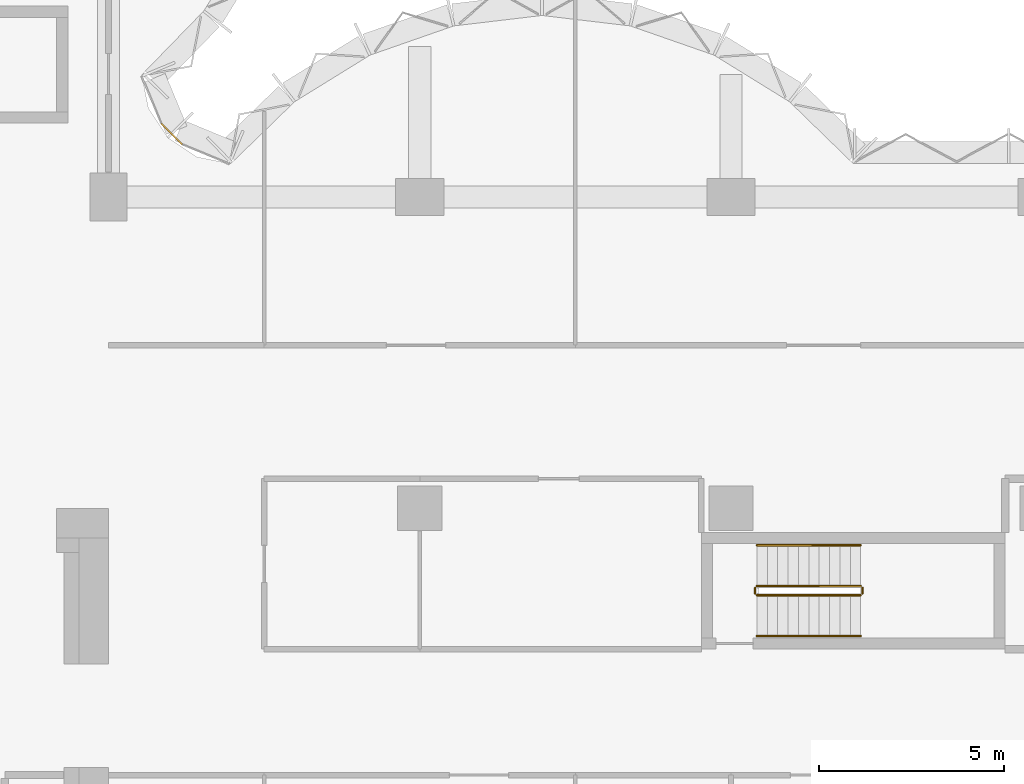
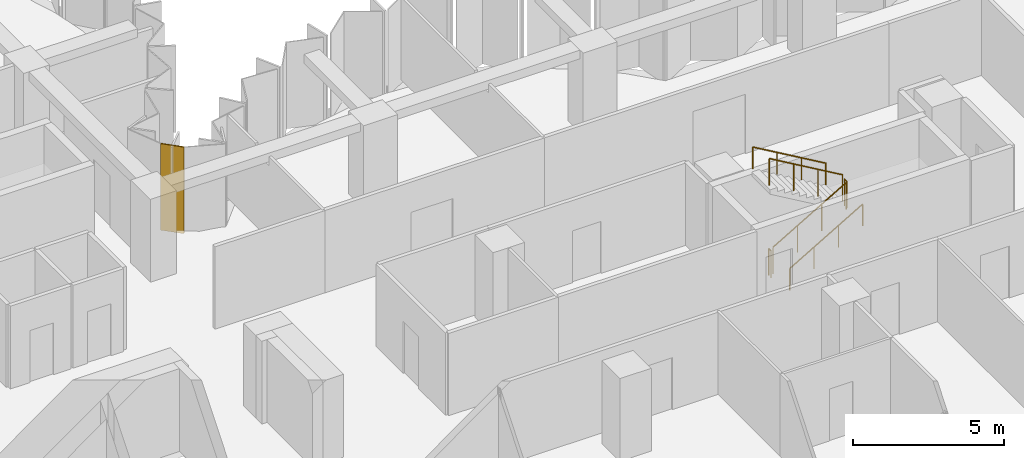
# One storey, part 13 of 13: 6 railings, 1 covering, 1 element without a shape of its own.
"""IFC4 building model written with IfcOpenShell, lengths in metres."""

from ifc_helpers import new_model, si_unit, direction, frame, origin, origin_2d, place, context, subcontext, project, spatial, polyline, circle, outline, extrude, material, layer, layer_set, type_object, element, aggregate, save


model = new_model("IFC4")

# Units and contexts
model_context = context("Model", 3, precision=1e-05, world=origin(), true_north=direction((0.0, 1.0)))
body_context = subcontext(model_context, "Body", "Model", "MODEL_VIEW")
ifc_project = project(units=[si_unit("LENGTHUNIT", "METRE"), si_unit("AREAUNIT", "SQUARE_METRE"), si_unit("VOLUMEUNIT", "CUBIC_METRE"), si_unit("PLANEANGLEUNIT", "RADIAN"), si_unit("MASSUNIT", "GRAM", prefix="KILO")], contexts=[model_context])

# Site, building, storey
site_placement = place(None, origin())
site = spatial("IfcSite", under=ifc_project, at=site_placement, CompositionType="ELEMENT")
building_placement = place(site_placement, origin())
building = spatial("IfcBuilding", under=site, at=building_placement, Name="Brevane Broadcast Tower", CompositionType="ELEMENT")
storey_placement = place(building_placement, frame((0.0, 0.0, 106.10009765625)))
storey = spatial("IfcBuildingStorey", under=building, at=storey_placement, Name="L25", CompositionType="ELEMENT", Elevation=106.10009765625)

# Railings
ifc_material_1 = material(Name="Steel S355", Category="steel")
railing_type_1 = type_object("IfcRailingType", Name="Exit stair guard", PredefinedType="GUARDRAIL", material=ifc_material_1)
railing_1_placement = place(storey_placement, frame((42.699951171875, 14.449951171875, 0.16357421875)))
element("IfcRailing", 1, at=railing_1_placement, inside=storey, type_object=railing_type_1, Name="L25 ST-4 stair guard 1", PredefinedType="GUARDRAIL", context=body_context, shape_type="SweptSolid", body=[
    extrude(circle(Radius=0.02392578125, at=origin_2d()), frame((0.0, 0.0, 1.076171875), z_axis=(0.863393664356, 0.0, 0.504530851732), x_axis=(0.0, 1.0, 0.0)), (0.0, 0.0, 1.0), 3.2431640625),
    extrude(circle(Radius=0.02099609375, at=origin_2d()), origin(), (0.0, 0.0, 1.0), 1.052001953125),
    extrude(circle(Radius=0.02099609375, at=origin_2d()), frame((0.933349609375, 0.0, 0.54541015625)), (0.0, 0.0, 1.0), 1.052001953125),
    extrude(circle(Radius=0.02099609375, at=origin_2d()), frame((1.86669921875, 0.0, 1.0908203125)), (0.0, 0.0, 1.0), 1.052001953125),
    extrude(circle(Radius=0.02099609375, at=origin_2d()), frame((2.800048828125, 0.0, 1.63623046875)), (0.0, 0.0, 1.0), 1.052001953125),
])
railing_2_placement = place(storey_placement, frame((45.550048828125, 14.5, 1.7998046875)))
element("IfcRailing", 2, at=railing_2_placement, inside=storey, type_object=railing_type_1, Name="L25 ST-4 stair guard 2", PredefinedType="GUARDRAIL", context=body_context, shape_type="SweptSolid", body=[
    extrude(circle(Radius=0.02392578125, at=origin_2d()), frame((0.0, 0.0, 1.076171875), z_axis=(0.0, 1.0, 0.0), x_axis=(-1.0, 0.0, 0.0)), (0.0, 0.0, 1.0), 0.14990234375),
    extrude(circle(Radius=0.02099609375, at=origin_2d()), origin(), (0.0, 0.0, 1.0), 1.052001953125),
    extrude(circle(Radius=0.02099609375, at=origin_2d()), frame((0.0, 0.14990234375, 0.0)), (0.0, 0.0, 1.0), 1.052001953125),
])
railing_3_placement = place(storey_placement, frame((45.5, 14.699951171875, 1.963623046875)))
element("IfcRailing", 3, at=railing_3_placement, inside=storey, type_object=railing_type_1, Name="L25 ST-4 stair guard 3", PredefinedType="GUARDRAIL", context=body_context, shape_type="SweptSolid", body=[
    extrude(circle(Radius=0.02392578125, at=origin_2d()), frame((0.0, 0.0, 1.076171875), z_axis=(-0.863393664356, 0.0, 0.504530851732), x_axis=(0.0, -1.0, 0.0)), (0.0, 0.0, 1.0), 3.2431640625),
    extrude(circle(Radius=0.02099609375, at=origin_2d()), origin(), (0.0, 0.0, 1.0), 1.052001953125),
    extrude(circle(Radius=0.02099609375, at=origin_2d()), frame((-0.933349609375, 0.0, 0.54541015625)), (0.0, 0.0, 1.0), 1.052001953125),
    extrude(circle(Radius=0.02099609375, at=origin_2d()), frame((-1.86669921875, 0.0, 1.0908203125)), (0.0, 0.0, 1.0), 1.052001953125),
    extrude(circle(Radius=0.02099609375, at=origin_2d()), frame((-2.800048828125, 0.0, 1.63623046875)), (0.0, 0.0, 1.0), 1.052001953125),
])
railing_4_placement = place(storey_placement, frame((42.64990234375, 14.5, 0.0)))
element("IfcRailing", 4, at=railing_4_placement, inside=storey, type_object=railing_type_1, Name="L25 ST-4 stair guard 4", PredefinedType="GUARDRAIL", context=body_context, shape_type="SweptSolid", body=[
    extrude(circle(Radius=0.02392578125, at=origin_2d()), frame((0.0, 0.0, 1.076171875), z_axis=(0.0, 1.0, 0.0), x_axis=(-1.0, 0.0, 0.0)), (0.0, 0.0, 1.0), 0.14990234375),
    extrude(circle(Radius=0.02099609375, at=origin_2d()), origin(), (0.0, 0.0, 1.0), 1.052001953125),
    extrude(circle(Radius=0.02099609375, at=origin_2d()), frame((0.0, 0.14990234375, 0.0)), (0.0, 0.0, 1.0), 1.052001953125),
])
railing_type_2 = type_object("IfcRailingType", Name="Exit stair handrail", PredefinedType="HANDRAIL", material=ifc_material_1)
railing_5_placement = place(storey_placement, frame((42.699951171875, 13.35009765625, 0.16357421875)))
element("IfcRailing", 5, at=railing_5_placement, inside=storey, type_object=railing_type_2, Name="L25 ST-4 stair handrail 1", PredefinedType="HANDRAIL", context=body_context, shape_type="SweptSolid", body=[
    extrude(circle(Radius=0.02392578125, at=origin_2d()), frame((0.0, 0.0, 0.8759765625), z_axis=(0.863393664356, 0.0, 0.504530851732), x_axis=(0.0, 1.0, 0.0)), (0.0, 0.0, 1.0), 3.2431640625),
    extrude(circle(Radius=0.02099609375, at=origin_2d()), origin(), (0.0, 0.0, 1.0), 0.851806640625),
    extrude(circle(Radius=0.02099609375, at=origin_2d()), frame((0.933349609375, 0.0, 0.54541015625)), (0.0, 0.0, 1.0), 0.851806640625),
    extrude(circle(Radius=0.02099609375, at=origin_2d()), frame((1.86669921875, 0.0, 1.0908203125)), (0.0, 0.0, 1.0), 0.851806640625),
    extrude(circle(Radius=0.02099609375, at=origin_2d()), frame((2.800048828125, 0.0, 1.63623046875)), (0.0, 0.0, 1.0), 0.851806640625),
])
railing_6_placement = place(storey_placement, frame((45.5, 15.800048828125, 1.963623046875)))
element("IfcRailing", 6, at=railing_6_placement, inside=storey, type_object=railing_type_2, Name="L25 ST-4 stair handrail 2", PredefinedType="HANDRAIL", context=body_context, shape_type="SweptSolid", body=[
    extrude(circle(Radius=0.02392578125, at=origin_2d()), frame((0.0, 0.0, 0.8759765625), z_axis=(-0.863393664356, 0.0, 0.504530851732), x_axis=(0.0, -1.0, 0.0)), (0.0, 0.0, 1.0), 3.2431640625),
    extrude(circle(Radius=0.02099609375, at=origin_2d()), origin(), (0.0, 0.0, 1.0), 0.851806640625),
    extrude(circle(Radius=0.02099609375, at=origin_2d()), frame((-0.933349609375, 0.0, 0.54541015625)), (0.0, 0.0, 1.0), 0.851806640625),
    extrude(circle(Radius=0.02099609375, at=origin_2d()), frame((-1.86669921875, 0.0, 1.0908203125)), (0.0, 0.0, 1.0), 0.851806640625),
    extrude(circle(Radius=0.02099609375, at=origin_2d()), frame((-2.800048828125, 0.0, 1.63623046875)), (0.0, 0.0, 1.0), 0.851806640625),
])

# Curtain wall, covering
ifc_material_2 = material(Name="Aluminium 6063-T6 bronze anodised", Category="aluminium")
curtain_wall_type = type_object("IfcCurtainWallType", Name="CW-1 curtain wall", PredefinedType="NOTDEFINED", material=ifc_material_2)
curtain_wall_placement = place(storey_placement, origin())
curtain_wall = element("IfcCurtainWall", 7, at=curtain_wall_placement, inside=storey, type_object=curtain_wall_type, Name="CW-1 typical tilted unit L25 inner corner", PredefinedType="NOTDEFINED")
ifc_material_3 = material(Name="Back-painted bronze glass shadow-box", Category="glass")
ifc_layer = layer(ifc_material_3, 0.0400390625)
ifc_layer_set = layer_set([ifc_layer], Name="Shadow-box panel 40")
covering_type = type_object("IfcCoveringType", Name="Shadow-box panel 40", PredefinedType="CLADDING", material=ifc_layer_set)
covering_placement = place(storey_placement, frame((0.0, 0.0, -0.150146484375)))
covering = element("IfcCovering", 8, at=covering_placement, type_object=covering_type, Name="Closure panel", PredefinedType="CLADDING", context=body_context, shape_type="SweptSolid", body=[
    extrude(outline(polyline([(27.17138671875, 26.60498046875), (27.2021484375, 26.635498046875), (26.635498046875, 27.2021484375), (26.60498046875, 27.17138671875), (27.17138671875, 26.60498046875)])), origin(), (0.0, 0.0, 1.0), 3.5),
])
aggregate(curtain_wall, [covering])

save(model, "model.ifc")
